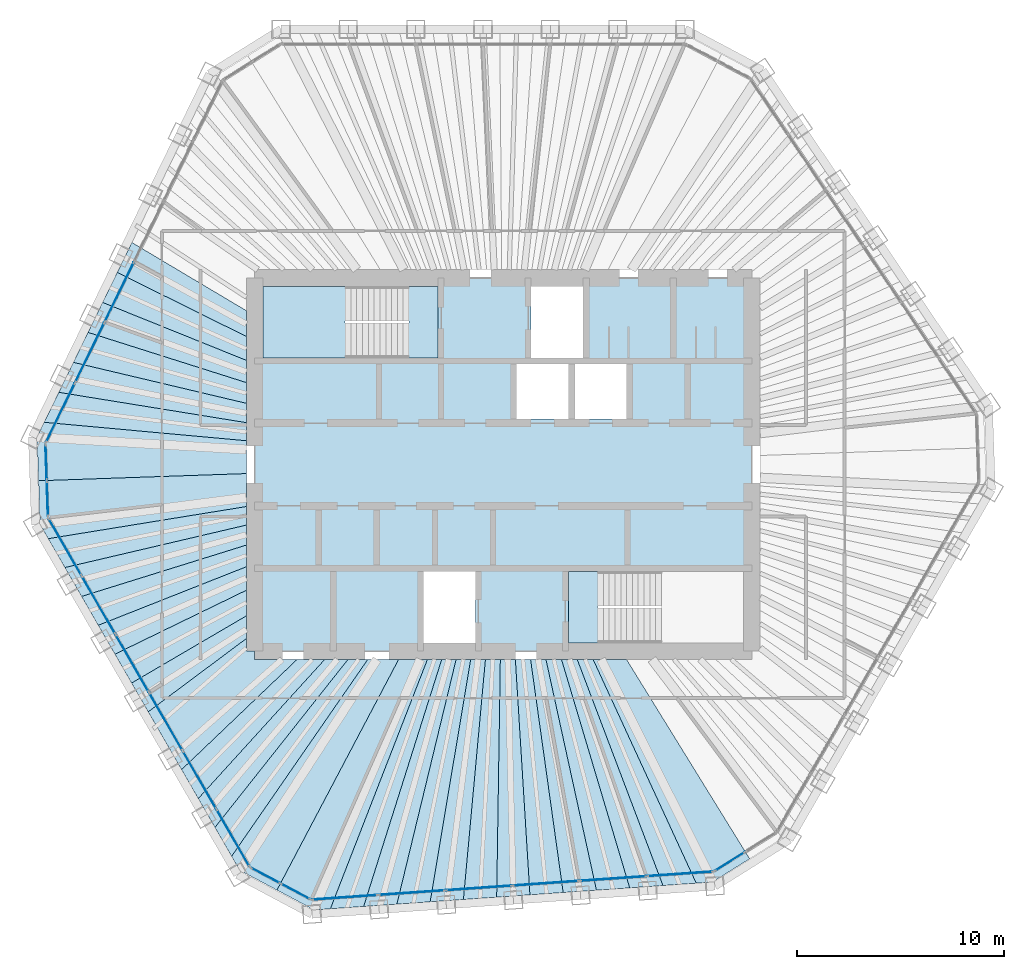
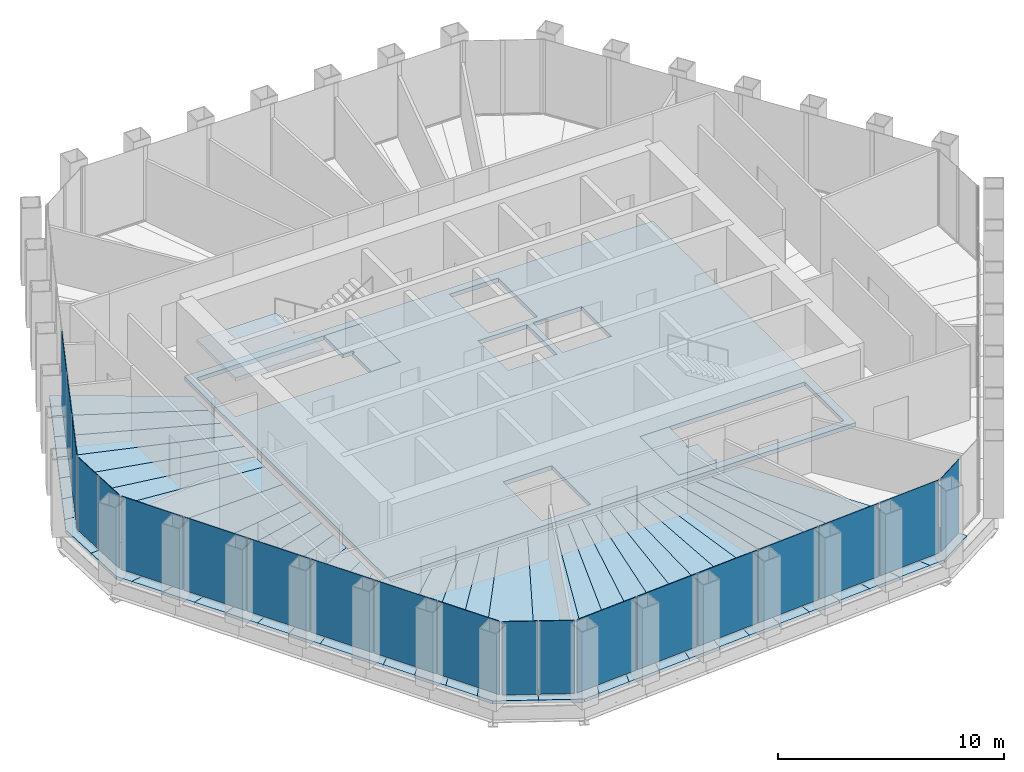
# One storey, part 9 of 14: 36 slabs, 20 plates, 8 elements without a shape of their own.
"""IFC4 building model written with IfcOpenShell, lengths in metres."""

from ifc_helpers import new_model, si_unit, direction, frame, origin, origin_2d, place, context, subcontext, project, spatial, polyline, rectangle, outline, extrude, material, layer, layer_set, type_object, element, aggregate, save


model = new_model("IFC4")

# Units and contexts
model_context = context("Model", 3, precision=1e-05, world=origin(), true_north=direction((0.0, 1.0)))
body_context = subcontext(model_context, "Body", "Model", "MODEL_VIEW")
ifc_project = project(units=[si_unit("LENGTHUNIT", "METRE"), si_unit("AREAUNIT", "SQUARE_METRE"), si_unit("VOLUMEUNIT", "CUBIC_METRE"), si_unit("PLANEANGLEUNIT", "RADIAN"), si_unit("MASSUNIT", "GRAM", prefix="KILO")], contexts=[model_context])

# Site, building, storey
site_placement = place(None, origin())
site = spatial("IfcSite", under=ifc_project, at=site_placement, CompositionType="ELEMENT")
building_placement = place(site_placement, origin())
building = spatial("IfcBuilding", under=site, at=building_placement, Name="Qingtian Harvest Tower", CompositionType="ELEMENT")
storey_placement = place(building_placement, frame((0.0, 0.0, 316.60009765625)))
storey = spatial("IfcBuildingStorey", under=building, at=storey_placement, Name="L70", CompositionType="ELEMENT", Elevation=316.60009765625)

# Slabs
ifc_material_1 = material(Name="Concrete fc' 35 MPa", Category="concrete")
ifc_layer_1 = layer(ifc_material_1, 0.169921875)
ifc_layer_set_1 = layer_set([ifc_layer_1], Name="Composite floor slab FS17 170")
slab_type_1 = type_object("IfcSlabType", Name="Composite floor slab FS17 170", PredefinedType="FLOOR", material=ifc_layer_set_1)
slab_1_placement = place(storey_placement, frame((0.0, 0.0, -0.170166015625)))
element("IfcSlab", 1, at=slab_1_placement, inside=storey, type_object=slab_type_1, Name="Floor slab L70 panel D01", PredefinedType="FLOOR", context=body_context, shape_type="SweptSolid", body=[
    extrude(outline(polyline([(-22.422607421875, -0.783203125), (-12.39990234375, -0.436767578125), (-12.39990234375, -2.028564453125), (-21.95751953125, -3.578369140625), (-22.348876953125, -2.90087890625), (-22.422607421875, -0.783203125)])), origin(), (0.0, 0.0, 1.0), 0.170166015625),
])
slab_2_placement = place(storey_placement, frame((0.0, 0.0, -0.170166015625)))
element("IfcSlab", 2, at=slab_2_placement, inside=storey, type_object=slab_type_1, Name="Floor slab L70 panel D02", PredefinedType="FLOOR", context=body_context, shape_type="SweptSolid", body=[
    extrude(outline(polyline([(-12.39990234375, -2.923095703125), (-21.153076171875, -4.9716796875), (-21.95751953125, -3.578369140625), (-12.39990234375, -2.028564453125), (-12.39990234375, -2.923095703125)])), origin(), (0.0, 0.0, 1.0), 0.170166015625),
])
slab_3_placement = place(storey_placement, frame((0.0, 0.0, -0.170166015625)))
element("IfcSlab", 3, at=slab_3_placement, inside=storey, type_object=slab_type_1, Name="Floor slab L70 panel D03", PredefinedType="FLOOR", context=body_context, shape_type="SweptSolid", body=[
    extrude(outline(polyline([(-12.39990234375, -3.888427734375), (-20.3486328125, -6.365234375), (-21.153076171875, -4.9716796875), (-12.39990234375, -2.923095703125), (-12.39990234375, -3.888427734375)])), origin(), (0.0, 0.0, 1.0), 0.170166015625),
])
slab_4_placement = place(storey_placement, frame((0.0, 0.0, -0.170166015625)))
element("IfcSlab", 4, at=slab_4_placement, inside=storey, type_object=slab_type_1, Name="Floor slab L70 panel D04", PredefinedType="FLOOR", context=body_context, shape_type="SweptSolid", body=[
    extrude(outline(polyline([(-12.39990234375, -4.93359375), (-19.544189453125, -7.758544921875), (-20.3486328125, -6.365234375), (-12.39990234375, -3.888427734375), (-12.39990234375, -4.93359375)])), origin(), (0.0, 0.0, 1.0), 0.170166015625),
])
slab_5_placement = place(storey_placement, frame((0.0, 0.0, -0.170166015625)))
element("IfcSlab", 5, at=slab_5_placement, inside=storey, type_object=slab_type_1, Name="Floor slab L70 panel D05", PredefinedType="FLOOR", context=body_context, shape_type="SweptSolid", body=[
    extrude(outline(polyline([(-12.39990234375, -6.068359375), (-18.73974609375, -9.15185546875), (-19.544189453125, -7.758544921875), (-12.39990234375, -4.93359375), (-12.39990234375, -6.068359375)])), origin(), (0.0, 0.0, 1.0), 0.170166015625),
])
slab_6_placement = place(storey_placement, frame((0.0, 0.0, -0.170166015625)))
element("IfcSlab", 6, at=slab_6_placement, inside=storey, type_object=slab_type_1, Name="Floor slab L70 panel D06", PredefinedType="FLOOR", context=body_context, shape_type="SweptSolid", body=[
    extrude(outline(polyline([(-12.39990234375, -7.304931640625), (-17.93505859375, -10.54541015625), (-18.73974609375, -9.15185546875), (-12.39990234375, -6.068359375), (-12.39990234375, -7.304931640625)])), origin(), (0.0, 0.0, 1.0), 0.170166015625),
])
slab_7_placement = place(storey_placement, frame((0.0, 0.0, -0.170166015625)))
element("IfcSlab", 7, at=slab_7_placement, inside=storey, type_object=slab_type_1, Name="Floor slab L70 panel D07", PredefinedType="FLOOR", context=body_context, shape_type="SweptSolid", body=[
    extrude(outline(polyline([(-12.39990234375, -8.400390625), (-17.134033203125, -11.932861328125), (-17.93505859375, -10.54541015625), (-12.39990234375, -7.304931640625), (-12.39990234375, -8.400390625)])), origin(), (0.0, 0.0, 1.0), 0.170166015625),
])
slab_8_placement = place(storey_placement, frame((0.0, 0.0, -0.170166015625)))
element("IfcSlab", 8, at=slab_8_placement, inside=storey, type_object=slab_type_1, Name="Floor slab L70 panel D09", PredefinedType="FLOOR", context=body_context, shape_type="SweptSolid", body=[
    extrude(outline(polyline([(-15.522216796875, -14.724609375), (-17.134033203125, -11.932861328125), (-12.39990234375, -8.400390625), (-12.39990234375, -9.0), (-12.0, -9.0), (-12.0, -9.39990234375), (-9.943115234375, -9.39990234375), (-15.522216796875, -14.724609375)])), origin(), (0.0, 0.0, 1.0), 0.170166015625),
])
slab_9_placement = place(storey_placement, frame((0.0, 0.0, -0.170166015625)))
element("IfcSlab", 9, at=slab_9_placement, inside=storey, type_object=slab_type_1, Name="Floor slab L70 panel D10", PredefinedType="FLOOR", context=body_context, shape_type="SweptSolid", body=[
    extrude(outline(polyline([(-8.609130859375, -9.39990234375), (-14.7177734375, -16.1181640625), (-15.522216796875, -14.724609375), (-9.943115234375, -9.39990234375), (-8.609130859375, -9.39990234375)])), origin(), (0.0, 0.0, 1.0), 0.170166015625),
])
slab_10_placement = place(storey_placement, frame((0.0, 0.0, -0.170166015625)))
element("IfcSlab", 10, at=slab_10_placement, inside=storey, type_object=slab_type_1, Name="Floor slab L70 panel D11", PredefinedType="FLOOR", context=body_context, shape_type="SweptSolid", body=[
    extrude(outline(polyline([(-7.488525390625, -9.39990234375), (-13.9130859375, -17.51171875), (-14.7177734375, -16.1181640625), (-8.609130859375, -9.39990234375), (-7.488525390625, -9.39990234375)])), origin(), (0.0, 0.0, 1.0), 0.170166015625),
])
slab_11_placement = place(storey_placement, frame((0.0, 0.0, -0.170166015625)))
element("IfcSlab", 11, at=slab_11_placement, inside=storey, type_object=slab_type_1, Name="Floor slab L70 panel D12", PredefinedType="FLOOR", context=body_context, shape_type="SweptSolid", body=[
    extrude(outline(polyline([(-6.533935546875, -9.39990234375), (-13.108642578125, -18.905029296875), (-13.9130859375, -17.51171875), (-7.488525390625, -9.39990234375), (-6.533935546875, -9.39990234375)])), origin(), (0.0, 0.0, 1.0), 0.170166015625),
])
slab_12_placement = place(storey_placement, frame((0.0, 0.0, -0.170166015625)))
element("IfcSlab", 12, at=slab_12_placement, inside=storey, type_object=slab_type_1, Name="Floor slab L70 panel D13", PredefinedType="FLOOR", context=body_context, shape_type="SweptSolid", body=[
    extrude(outline(polyline([(-6.533935546875, -9.39990234375), (-5.04638671875, -9.39990234375), (-10.921142578125, -20.537841796875), (-12.717529296875, -19.582763671875), (-13.108642578125, -18.905029296875), (-6.533935546875, -9.39990234375)])), origin(), (0.0, 0.0, 1.0), 0.170166015625),
])
slab_13_placement = place(storey_placement, frame((0.0, 0.0, -0.170166015625)))
element("IfcSlab", 13, at=slab_13_placement, inside=storey, type_object=slab_type_1, Name="Floor slab L70 panel D14", PredefinedType="FLOOR", context=body_context, shape_type="SweptSolid", body=[
    extrude(outline(polyline([(-5.04638671875, -9.39990234375), (-3.656982421875, -9.39990234375), (-8.343017578125, -21.439208984375), (-9.123291015625, -21.49365234375), (-10.921142578125, -20.537841796875), (-5.04638671875, -9.39990234375)])), origin(), (0.0, 0.0, 1.0), 0.170166015625),
])
slab_14_placement = place(storey_placement, frame((0.0, 0.0, -0.170166015625)))
element("IfcSlab", 14, at=slab_14_placement, inside=storey, type_object=slab_type_1, Name="Floor slab L70 panel D15", PredefinedType="FLOOR", context=body_context, shape_type="SweptSolid", body=[
    extrude(outline(polyline([(-2.968994140625, -9.39990234375), (-6.738037109375, -21.326904296875), (-8.343017578125, -21.439208984375), (-3.656982421875, -9.39990234375), (-2.968994140625, -9.39990234375)])), origin(), (0.0, 0.0, 1.0), 0.170166015625),
])
slab_15_placement = place(storey_placement, frame((0.0, 0.0, -0.170166015625)))
element("IfcSlab", 15, at=slab_15_placement, inside=storey, type_object=slab_type_1, Name="Floor slab L70 panel D16", PredefinedType="FLOOR", context=body_context, shape_type="SweptSolid", body=[
    extrude(outline(polyline([(-2.2734375, -9.39990234375), (-5.133056640625, -21.21484375), (-6.738037109375, -21.326904296875), (-2.968994140625, -9.39990234375), (-2.2734375, -9.39990234375)])), origin(), (0.0, 0.0, 1.0), 0.170166015625),
])
slab_16_placement = place(storey_placement, frame((0.0, 0.0, -0.170166015625)))
element("IfcSlab", 16, at=slab_16_placement, inside=storey, type_object=slab_type_1, Name="Floor slab L70 panel D17", PredefinedType="FLOOR", context=body_context, shape_type="SweptSolid", body=[
    extrude(outline(polyline([(-1.570556640625, -9.39990234375), (-3.528076171875, -21.1025390625), (-5.133056640625, -21.21484375), (-2.2734375, -9.39990234375), (-1.570556640625, -9.39990234375)])), origin(), (0.0, 0.0, 1.0), 0.170166015625),
])
slab_17_placement = place(storey_placement, frame((0.0, 0.0, -0.170166015625)))
element("IfcSlab", 17, at=slab_17_placement, inside=storey, type_object=slab_type_1, Name="Floor slab L70 panel D18", PredefinedType="FLOOR", context=body_context, shape_type="SweptSolid", body=[
    extrude(outline(polyline([(-0.860107421875, -9.39990234375), (-1.9228515625, -20.990234375), (-3.528076171875, -21.1025390625), (-1.570556640625, -9.39990234375), (-0.860107421875, -9.39990234375)])), origin(), (0.0, 0.0, 1.0), 0.170166015625),
])
slab_18_placement = place(storey_placement, frame((0.0, 0.0, -0.170166015625)))
element("IfcSlab", 18, at=slab_18_placement, inside=storey, type_object=slab_type_1, Name="Floor slab L70 panel D19", PredefinedType="FLOOR", context=body_context, shape_type="SweptSolid", body=[
    extrude(outline(polyline([(-0.14208984375, -9.39990234375), (-0.31787109375, -20.8779296875), (-1.9228515625, -20.990234375), (-0.860107421875, -9.39990234375), (-0.14208984375, -9.39990234375)])), origin(), (0.0, 0.0, 1.0), 0.170166015625),
])
slab_19_placement = place(storey_placement, frame((0.0, 0.0, -0.170166015625)))
element("IfcSlab", 19, at=slab_19_placement, inside=storey, type_object=slab_type_1, Name="Floor slab L70 panel D20", PredefinedType="FLOOR", context=body_context, shape_type="SweptSolid", body=[
    extrude(outline(polyline([(0.58349609375, -9.39990234375), (1.287109375, -20.765869140625), (-0.31787109375, -20.8779296875), (-0.14208984375, -9.39990234375), (0.58349609375, -9.39990234375)])), origin(), (0.0, 0.0, 1.0), 0.170166015625),
])
slab_20_placement = place(storey_placement, frame((0.0, 0.0, -0.170166015625)))
element("IfcSlab", 20, at=slab_20_placement, inside=storey, type_object=slab_type_1, Name="Floor slab L70 panel D21", PredefinedType="FLOOR", context=body_context, shape_type="SweptSolid", body=[
    extrude(outline(polyline([(1.3173828125, -9.39990234375), (2.89208984375, -20.653564453125), (1.287109375, -20.765869140625), (0.58349609375, -9.39990234375), (1.3173828125, -9.39990234375)])), origin(), (0.0, 0.0, 1.0), 0.170166015625),
])
slab_21_placement = place(storey_placement, frame((0.0, 0.0, -0.170166015625)))
element("IfcSlab", 21, at=slab_21_placement, inside=storey, type_object=slab_type_1, Name="Floor slab L70 panel D22", PredefinedType="FLOOR", context=body_context, shape_type="SweptSolid", body=[
    extrude(outline(polyline([(2.058837890625, -9.39990234375), (4.4970703125, -20.541259765625), (2.89208984375, -20.653564453125), (1.3173828125, -9.39990234375), (2.058837890625, -9.39990234375)])), origin(), (0.0, 0.0, 1.0), 0.170166015625),
])
slab_22_placement = place(storey_placement, frame((0.0, 0.0, -0.170166015625)))
element("IfcSlab", 22, at=slab_22_placement, inside=storey, type_object=slab_type_1, Name="Floor slab L70 panel D23", PredefinedType="FLOOR", context=body_context, shape_type="SweptSolid", body=[
    extrude(outline(polyline([(2.808837890625, -9.39990234375), (6.10205078125, -20.42919921875), (4.4970703125, -20.541259765625), (2.058837890625, -9.39990234375), (2.808837890625, -9.39990234375)])), origin(), (0.0, 0.0, 1.0), 0.170166015625),
])
slab_23_placement = place(storey_placement, frame((0.0, 0.0, -0.170166015625)))
element("IfcSlab", 23, at=slab_23_placement, inside=storey, type_object=slab_type_1, Name="Floor slab L70 panel D24", PredefinedType="FLOOR", context=body_context, shape_type="SweptSolid", body=[
    extrude(outline(polyline([(3.56689453125, -9.39990234375), (7.70703125, -20.31689453125), (6.10205078125, -20.42919921875), (2.808837890625, -9.39990234375), (3.56689453125, -9.39990234375)])), origin(), (0.0, 0.0, 1.0), 0.170166015625),
])
slab_24_placement = place(storey_placement, frame((0.0, 0.0, -0.170166015625)))
element("IfcSlab", 24, at=slab_24_placement, inside=storey, type_object=slab_type_1, Name="Floor slab L70 panel D25", PredefinedType="FLOOR", context=body_context, shape_type="SweptSolid", body=[
    extrude(outline(polyline([(4.33349609375, -9.39990234375), (9.312255859375, -20.20458984375), (7.70703125, -20.31689453125), (3.56689453125, -9.39990234375), (4.33349609375, -9.39990234375)])), origin(), (0.0, 0.0, 1.0), 0.170166015625),
])
slab_25_placement = place(storey_placement, frame((0.0, 0.0, -0.170166015625)))
element("IfcSlab", 25, at=slab_25_placement, inside=storey, type_object=slab_type_1, Name="Floor slab L70 panel D26", PredefinedType="FLOOR", context=body_context, shape_type="SweptSolid", body=[
    extrude(outline(polyline([(4.33349609375, -9.39990234375), (5.945556640625, -9.39990234375), (11.890380859375, -19.026611328125), (10.09228515625, -20.150146484375), (9.312255859375, -20.20458984375), (4.33349609375, -9.39990234375)])), origin(), (0.0, 0.0, 1.0), 0.170166015625),
])
slab_26_placement = place(storey_placement, frame((0.0, 0.0, -0.170166015625)))
element("IfcSlab", 26, at=slab_26_placement, inside=storey, type_object=slab_type_1, Name="Floor slab L70 panel D72", PredefinedType="FLOOR", context=body_context, shape_type="SweptSolid", body=[
    extrude(outline(polyline([(-12.39990234375, 6.18115234375), (-18.627197265625, 9.2685546875), (-17.921875, 10.714599609375), (-12.39990234375, 7.42578125), (-12.39990234375, 6.18115234375)])), origin(), (0.0, 0.0, 1.0), 0.170166015625),
])
slab_27_placement = place(storey_placement, frame((0.0, 0.0, -0.170166015625)))
element("IfcSlab", 27, at=slab_27_placement, inside=storey, type_object=slab_type_1, Name="Floor slab L70 panel D73", PredefinedType="FLOOR", context=body_context, shape_type="SweptSolid", body=[
    extrude(outline(polyline([(-12.39990234375, 5.02734375), (-19.33251953125, 7.822509765625), (-18.627197265625, 9.2685546875), (-12.39990234375, 6.18115234375), (-12.39990234375, 5.02734375)])), origin(), (0.0, 0.0, 1.0), 0.170166015625),
])
slab_28_placement = place(storey_placement, frame((0.0, 0.0, -0.170166015625)))
element("IfcSlab", 28, at=slab_28_placement, inside=storey, type_object=slab_type_1, Name="Floor slab L70 panel D74", PredefinedType="FLOOR", context=body_context, shape_type="SweptSolid", body=[
    extrude(outline(polyline([(-12.39990234375, 3.954833984375), (-20.037841796875, 6.376220703125), (-19.33251953125, 7.822509765625), (-12.39990234375, 5.02734375), (-12.39990234375, 3.954833984375)])), origin(), (0.0, 0.0, 1.0), 0.170166015625),
])
slab_29_placement = place(storey_placement, frame((0.0, 0.0, -0.170166015625)))
element("IfcSlab", 29, at=slab_29_placement, inside=storey, type_object=slab_type_1, Name="Floor slab L70 panel D75", PredefinedType="FLOOR", context=body_context, shape_type="SweptSolid", body=[
    extrude(outline(polyline([(-12.39990234375, 2.955322265625), (-20.7431640625, 4.93017578125), (-20.037841796875, 6.376220703125), (-12.39990234375, 3.954833984375), (-12.39990234375, 2.955322265625)])), origin(), (0.0, 0.0, 1.0), 0.170166015625),
])
slab_30_placement = place(storey_placement, frame((0.0, 0.0, -0.170166015625)))
element("IfcSlab", 30, at=slab_30_placement, inside=storey, type_object=slab_type_1, Name="Floor slab L70 panel D76", PredefinedType="FLOOR", context=body_context, shape_type="SweptSolid", body=[
    extrude(outline(polyline([(-12.39990234375, 2.021484375), (-21.448486328125, 3.484130859375), (-20.7431640625, 4.93017578125), (-12.39990234375, 2.955322265625), (-12.39990234375, 2.021484375)])), origin(), (0.0, 0.0, 1.0), 0.170166015625),
])
slab_31_placement = place(storey_placement, frame((0.0, 0.0, -0.170166015625)))
element("IfcSlab", 31, at=slab_31_placement, inside=storey, type_object=slab_type_1, Name="Floor slab L70 panel D77", PredefinedType="FLOOR", context=body_context, shape_type="SweptSolid", body=[
    extrude(outline(polyline([(-12.39990234375, 1.147216796875), (-22.15380859375, 2.037841796875), (-21.448486328125, 3.484130859375), (-12.39990234375, 2.021484375), (-12.39990234375, 1.147216796875)])), origin(), (0.0, 0.0, 1.0), 0.170166015625),
])
slab_32_placement = place(storey_placement, frame((0.0, 0.0, -0.170166015625)))
element("IfcSlab", 32, at=slab_32_placement, inside=storey, type_object=slab_type_1, Name="Floor slab L70 panel D78", PredefinedType="FLOOR", context=body_context, shape_type="SweptSolid", body=[
    extrude(outline(polyline([(-12.39990234375, 1.147216796875), (-12.39990234375, -0.436767578125), (-22.422607421875, -0.783203125), (-22.49658203125, 1.334716796875), (-22.15380859375, 2.037841796875), (-12.39990234375, 1.147216796875)])), origin(), (0.0, 0.0, 1.0), 0.170166015625),
])
ifc_material_2 = material(Name="Concrete fc' 35 MPa", Category="concrete")
ifc_layer_2 = layer(ifc_material_2, 0.219970703125)
ifc_layer_set_2 = layer_set([ifc_layer_2], Name="Core floor slab CS22 220")
slab_type_2 = type_object("IfcSlabType", Name="Core floor slab CS22 220", PredefinedType="FLOOR", material=ifc_layer_set_2)
slab_33_placement = place(storey_placement, frame((0.0, 0.0, -0.22021484375)))
element("IfcSlab", 33, at=slab_33_placement, inside=storey, type_object=slab_type_2, Name="Core floor slab L70", PredefinedType="FLOOR", context=body_context, shape_type="SweptSolid", body=[
    extrude(outline(polyline([(-12.0, -9.0), (12.0, -9.0), (12.0, 9.0), (-12.0, 9.0), (-12.0, -9.0)]), holes=[polyline([(-11.60009765625, 5.14990234375), (-3.14990234375, 5.14990234375), (-3.14990234375, 8.60009765625), (-11.60009765625, 8.60009765625), (-11.60009765625, 5.14990234375)]), polyline([(3.14990234375, -8.60009765625), (11.60009765625, -8.60009765625), (11.60009765625, -5.14990234375), (3.14990234375, -5.14990234375), (3.14990234375, -8.60009765625)]), polyline([(1.35009765625, 5.14990234375), (3.85009765625, 5.14990234375), (3.85009765625, 8.60009765625), (1.35009765625, 8.60009765625), (1.35009765625, 5.14990234375)]), polyline([(-3.85009765625, -8.60009765625), (-1.35009765625, -8.60009765625), (-1.35009765625, -5.14990234375), (-3.85009765625, -5.14990234375), (-3.85009765625, -8.60009765625)]), polyline([(0.64990234375, 2.199951171875), (3.14990234375, 2.199951171875), (3.14990234375, 4.85009765625), (0.64990234375, 4.85009765625), (0.64990234375, 2.199951171875)]), polyline([(3.449951171875, 2.199951171875), (5.949951171875, 2.199951171875), (5.949951171875, 4.85009765625), (3.449951171875, 4.85009765625), (3.449951171875, 2.199951171875)])]), origin(), (0.0, 0.0, 1.0), 0.22021484375),
])

# Curtain wall, plate
ifc_material_3 = material(Name="Bronze-anodised aluminium curtain wall", Category="aluminium")
curtain_wall_type = type_object("IfcCurtainWallType", Name="Curtain wall CW5 upper office", PredefinedType="USERDEFINED", material=ifc_material_3)
curtain_wall_1_placement = place(storey_placement, origin())
curtain_wall_1 = element("IfcCurtainWall", 34, at=curtain_wall_1_placement, inside=storey, type_object=curtain_wall_type, Name="Curtain wall CW5 L70 SEC", ObjectType="RECESSED CURTAIN WALL", PredefinedType="USERDEFINED")
ifc_material_4 = material(Name="Bronze-tinted laminated insulating glass", Category="glass")
ifc_layer_3 = layer(ifc_material_4, 0.030029296875)
ifc_layer_set_3 = layer_set([ifc_layer_3], Name="Glazed panel CWP tinted IGU")
plate_type = type_object("IfcPlateType", Name="Glazed panel CWP tinted IGU", PredefinedType="CURTAIN_PANEL", material=ifc_layer_set_3)
plate_1_placement = place(storey_placement, frame((10.93359375, -19.156005859375, 0.06494140625), z_axis=(0.0, 0.0, 1.0), x_axis=(-0.848048096156, -0.529919264233, 0.0)))
plate_1 = element("IfcPlate", 35, at=plate_1_placement, type_object=plate_type, Name="CW5 panel 2.1", PredefinedType="CURTAIN_PANEL", context=body_context, shape_type="SweptSolid", body=[
    extrude(rectangle(XDim=1.69287109375, YDim=0.030029296875, at=origin_2d()), origin(), (0.0, 0.0, 1.0), 3.965087890625),
])
aggregate(curtain_wall_1, [plate_1])

# Curtain wall, plates
curtain_wall_2_placement = place(storey_placement, origin())
curtain_wall_2 = element("IfcCurtainWall", 36, at=curtain_wall_2_placement, inside=storey, type_object=curtain_wall_type, Name="Curtain wall CW5 L70 S0-5", ObjectType="RECESSED CURTAIN WALL", PredefinedType="USERDEFINED")
plate_2_placement = place(storey_placement, frame((8.5244140625, -19.75341796875, 0.06494140625), z_axis=(0.0, 0.0, 1.0), x_axis=(-0.99756405026, -0.069756473744, 0.0)))
plate_2 = element("IfcPlate", 37, at=plate_2_placement, type_object=plate_type, Name="CW5 panel 1.1", PredefinedType="CURTAIN_PANEL", context=body_context, shape_type="SweptSolid", body=[
    extrude(rectangle(XDim=3.150634765625, YDim=0.030029296875, at=origin_2d()), origin(), (0.0, 0.0, 1.0), 3.965087890625),
])
plate_3_placement = place(storey_placement, frame((5.300537109375, -19.97900390625, 0.06494140625), z_axis=(0.0, 0.0, 1.0), x_axis=(-0.99756405026, -0.069756473744, 0.0)))
plate_3 = element("IfcPlate", 38, at=plate_3_placement, type_object=plate_type, Name="CW5 panel 2.1", PredefinedType="CURTAIN_PANEL", context=body_context, shape_type="SweptSolid", body=[
    extrude(rectangle(XDim=3.18310546875, YDim=0.030029296875, at=origin_2d()), origin(), (0.0, 0.0, 1.0), 3.965087890625),
])
plate_4_placement = place(storey_placement, frame((2.060302734375, -20.20556640625, 0.06494140625), z_axis=(0.0, 0.0, 1.0), x_axis=(-0.99756405026, -0.069756473744, 0.0)))
plate_4 = element("IfcPlate", 39, at=plate_4_placement, type_object=plate_type, Name="CW5 panel 3.1", PredefinedType="CURTAIN_PANEL", context=body_context, shape_type="SweptSolid", body=[
    extrude(rectangle(XDim=3.18310546875, YDim=0.030029296875, at=origin_2d()), origin(), (0.0, 0.0, 1.0), 3.965087890625),
])
plate_5_placement = place(storey_placement, frame((-1.1796875, -20.43212890625, 0.06494140625), z_axis=(0.0, 0.0, 1.0), x_axis=(-0.99756405026, -0.069756473744, 0.0)))
plate_5 = element("IfcPlate", 40, at=plate_5_placement, type_object=plate_type, Name="CW5 panel 4.1", PredefinedType="CURTAIN_PANEL", context=body_context, shape_type="SweptSolid", body=[
    extrude(rectangle(XDim=3.18310546875, YDim=0.030029296875, at=origin_2d()), origin(), (0.0, 0.0, 1.0), 3.965087890625),
])
plate_6_placement = place(storey_placement, frame((-4.419921875, -20.65869140625, 0.06494140625), z_axis=(0.0, 0.0, 1.0), x_axis=(-0.99756405026, -0.069756473744, 0.0)))
plate_6 = element("IfcPlate", 41, at=plate_6_placement, type_object=plate_type, Name="CW5 panel 5.1", PredefinedType="CURTAIN_PANEL", context=body_context, shape_type="SweptSolid", body=[
    extrude(rectangle(XDim=3.18310546875, YDim=0.030029296875, at=origin_2d()), origin(), (0.0, 0.0, 1.0), 3.965087890625),
])
plate_7_placement = place(storey_placement, frame((-7.643798828125, -20.884033203125, 0.06494140625), z_axis=(0.0, 0.0, 1.0), x_axis=(-0.99756405026, -0.069756473744, 0.0)))
plate_7 = element("IfcPlate", 42, at=plate_7_placement, type_object=plate_type, Name="CW5 panel 6.1", PredefinedType="CURTAIN_PANEL", context=body_context, shape_type="SweptSolid", body=[
    extrude(rectangle(XDim=3.150634765625, YDim=0.030029296875, at=origin_2d()), origin(), (0.0, 0.0, 1.0), 3.965087890625),
])
aggregate(curtain_wall_2, [plate_2, plate_3, plate_4, plate_5, plate_6, plate_7])

curtain_wall_3_placement = place(storey_placement, origin())
curtain_wall_3 = element("IfcCurtainWall", 43, at=curtain_wall_3_placement, inside=storey, type_object=curtain_wall_type, Name="Curtain wall CW5 L70 SC", ObjectType="RECESSED CURTAIN WALL", PredefinedType="USERDEFINED")
plate_8_placement = place(storey_placement, frame((-10.029296875, -20.60009765625, 0.06494140625), z_axis=(0.0, 0.0, 1.0), x_axis=(-0.882947592859, 0.469471562786, 0.0)))
plate_8 = element("IfcPlate", 44, at=plate_8_placement, type_object=plate_type, Name="CW5 panel 1.1", PredefinedType="CURTAIN_PANEL", context=body_context, shape_type="SweptSolid", body=[
    extrude(rectangle(XDim=1.56689453125, YDim=0.030029296875, at=origin_2d()), origin(), (0.0, 0.0, 1.0), 3.965087890625),
])
plate_9_placement = place(storey_placement, frame((-11.469970703125, -19.833984375, 0.06494140625), z_axis=(0.0, 0.0, 1.0), x_axis=(-0.882947592859, 0.469471562786, 0.0)))
plate_9 = element("IfcPlate", 45, at=plate_9_placement, type_object=plate_type, Name="CW5 panel 2.1", PredefinedType="CURTAIN_PANEL", context=body_context, shape_type="SweptSolid", body=[
    extrude(rectangle(XDim=1.56689453125, YDim=0.030029296875, at=origin_2d()), origin(), (0.0, 0.0, 1.0), 3.965087890625),
])
aggregate(curtain_wall_3, [plate_8, plate_9])

curtain_wall_4_placement = place(storey_placement, origin())
curtain_wall_4 = element("IfcCurtainWall", 46, at=curtain_wall_4_placement, inside=storey, type_object=curtain_wall_type, Name="Curtain wall CW5 L70 SW0-5", ObjectType="RECESSED CURTAIN WALL", PredefinedType="USERDEFINED")
plate_10_placement = place(storey_placement, frame((-13.039306640625, -18.01513671875, 0.06494140625), z_axis=(0.0, 0.0, 1.0), x_axis=(-0.5, 0.866025403784, 0.0)))
plate_10 = element("IfcPlate", 47, at=plate_10_placement, type_object=plate_type, Name="CW5 panel 1.1", PredefinedType="CURTAIN_PANEL", context=body_context, shape_type="SweptSolid", body=[
    extrude(rectangle(XDim=3.150634765625, YDim=0.030029296875, at=origin_2d()), origin(), (0.0, 0.0, 1.0), 3.965087890625),
])
plate_11_placement = place(storey_placement, frame((-14.6552734375, -15.216552734375, 0.06494140625), z_axis=(0.0, 0.0, 1.0), x_axis=(-0.5, 0.866025403784, 0.0)))
plate_11 = element("IfcPlate", 48, at=plate_11_placement, type_object=plate_type, Name="CW5 panel 2.1", PredefinedType="CURTAIN_PANEL", context=body_context, shape_type="SweptSolid", body=[
    extrude(rectangle(XDim=3.18310546875, YDim=0.030029296875, at=origin_2d()), origin(), (0.0, 0.0, 1.0), 3.965087890625),
])
plate_12_placement = place(storey_placement, frame((-16.279296875, -12.403564453125, 0.06494140625), z_axis=(0.0, 0.0, 1.0), x_axis=(-0.5, 0.866025403784, 0.0)))
plate_12 = element("IfcPlate", 49, at=plate_12_placement, type_object=plate_type, Name="CW5 panel 3.1", PredefinedType="CURTAIN_PANEL", context=body_context, shape_type="SweptSolid", body=[
    extrude(rectangle(XDim=3.18310546875, YDim=0.030029296875, at=origin_2d()), origin(), (0.0, 0.0, 1.0), 3.965087890625),
])
plate_13_placement = place(storey_placement, frame((-17.9033203125, -9.590576171875, 0.06494140625), z_axis=(0.0, 0.0, 1.0), x_axis=(-0.5, 0.866025403784, 0.0)))
plate_13 = element("IfcPlate", 50, at=plate_13_placement, type_object=plate_type, Name="CW5 panel 4.1", PredefinedType="CURTAIN_PANEL", context=body_context, shape_type="SweptSolid", body=[
    extrude(rectangle(XDim=3.18310546875, YDim=0.030029296875, at=origin_2d()), origin(), (0.0, 0.0, 1.0), 3.965087890625),
])
plate_14_placement = place(storey_placement, frame((-19.52734375, -6.77783203125, 0.06494140625), z_axis=(0.0, 0.0, 1.0), x_axis=(-0.5, 0.866025403784, 0.0)))
plate_14 = element("IfcPlate", 51, at=plate_14_placement, type_object=plate_type, Name="CW5 panel 5.1", PredefinedType="CURTAIN_PANEL", context=body_context, shape_type="SweptSolid", body=[
    extrude(rectangle(XDim=3.18310546875, YDim=0.030029296875, at=origin_2d()), origin(), (0.0, 0.0, 1.0), 3.965087890625),
])
plate_15_placement = place(storey_placement, frame((-21.14306640625, -3.97900390625, 0.06494140625), z_axis=(0.0, 0.0, 1.0), x_axis=(-0.5, 0.866025403784, 0.0)))
plate_15 = element("IfcPlate", 52, at=plate_15_placement, type_object=plate_type, Name="CW5 panel 6.1", PredefinedType="CURTAIN_PANEL", context=body_context, shape_type="SweptSolid", body=[
    extrude(rectangle(XDim=3.150634765625, YDim=0.030029296875, at=origin_2d()), origin(), (0.0, 0.0, 1.0), 3.965087890625),
])
aggregate(curtain_wall_4, [plate_10, plate_11, plate_12, plate_13, plate_14, plate_15])

curtain_wall_5_placement = place(storey_placement, origin())
curtain_wall_5 = element("IfcCurtainWall", 53, at=curtain_wall_5_placement, inside=storey, type_object=curtain_wall_type, Name="Curtain wall CW5 L70 SWC", ObjectType="RECESSED CURTAIN WALL", PredefinedType="USERDEFINED")
plate_16_placement = place(storey_placement, frame((-21.9951171875, -1.647705078125, 0.06494140625), z_axis=(0.0, 0.0, 1.0), x_axis=(-0.034899496703, 0.999390827019, 0.0)))
plate_16 = element("IfcPlate", 54, at=plate_16_placement, type_object=plate_type, Name="CW5 panel 1.1", PredefinedType="CURTAIN_PANEL", context=body_context, shape_type="SweptSolid", body=[
    extrude(rectangle(XDim=1.69287109375, YDim=0.030029296875, at=origin_2d()), origin(), (0.0, 0.0, 1.0), 3.965087890625),
])
plate_17_placement = place(storey_placement, frame((-22.056396484375, 0.109375, 0.06494140625), z_axis=(0.0, 0.0, 1.0), x_axis=(-0.034899496703, 0.999390827019, 0.0)))
plate_17 = element("IfcPlate", 55, at=plate_17_placement, type_object=plate_type, Name="CW5 panel 2.1", PredefinedType="CURTAIN_PANEL", context=body_context, shape_type="SweptSolid", body=[
    extrude(rectangle(XDim=1.69287109375, YDim=0.030029296875, at=origin_2d()), origin(), (0.0, 0.0, 1.0), 3.965087890625),
])
aggregate(curtain_wall_5, [plate_16, plate_17])

curtain_wall_6_placement = place(storey_placement, origin())
curtain_wall_6 = element("IfcCurtainWall", 56, at=curtain_wall_6_placement, inside=storey, type_object=curtain_wall_type, Name="Curtain wall CW5 L70 NW0-5", ObjectType="RECESSED CURTAIN WALL", PredefinedType="USERDEFINED")
plate_18_placement = place(storey_placement, frame((-21.369140625, 2.494384765625, 0.06494140625), z_axis=(0.0, 0.0, 1.0), x_axis=(0.438371146789, 0.898794046299, 0.0)))
plate_18 = element("IfcPlate", 57, at=plate_18_placement, type_object=plate_type, Name="CW5 panel 1.1", PredefinedType="CURTAIN_PANEL", context=body_context, shape_type="SweptSolid", body=[
    extrude(rectangle(XDim=3.150634765625, YDim=0.030029296875, at=origin_2d()), origin(), (0.0, 0.0, 1.0), 3.965087890625),
])
plate_19_placement = place(storey_placement, frame((-19.952392578125, 5.399169921875, 0.06494140625), z_axis=(0.0, 0.0, 1.0), x_axis=(0.438371146789, 0.898794046299, 0.0)))
plate_19 = element("IfcPlate", 58, at=plate_19_placement, type_object=plate_type, Name="CW5 panel 2.1", PredefinedType="CURTAIN_PANEL", context=body_context, shape_type="SweptSolid", body=[
    extrude(rectangle(XDim=3.18310546875, YDim=0.030029296875, at=origin_2d()), origin(), (0.0, 0.0, 1.0), 3.965087890625),
])
plate_20_placement = place(storey_placement, frame((-18.528564453125, 8.318359375, 0.06494140625), z_axis=(0.0, 0.0, 1.0), x_axis=(0.438371146789, 0.898794046299, 0.0)))
plate_20 = element("IfcPlate", 59, at=plate_20_placement, type_object=plate_type, Name="CW5 panel 3.1", PredefinedType="CURTAIN_PANEL", context=body_context, shape_type="SweptSolid", body=[
    extrude(rectangle(XDim=3.18310546875, YDim=0.030029296875, at=origin_2d()), origin(), (0.0, 0.0, 1.0), 3.965087890625),
])
aggregate(curtain_wall_6, [plate_18, plate_19, plate_20])

# Stair, slabs
ifc_material_5 = material(Name="Concrete fc' 35 MPa", Category="concrete")
stair_type = type_object("IfcStairType", Name="Special stair ST7 4200", PredefinedType="HALF_TURN_STAIR", material=ifc_material_5)
stair_1_placement = place(storey_placement, origin())
stair_1 = element("IfcStair", 60, at=stair_1_placement, inside=storey, type_object=stair_type, Name="Special stair S1 L70", PredefinedType="HALF_TURN_STAIR")
ifc_material_6 = material(Name="Concrete fc' 35 MPa", Category="concrete")
ifc_layer_4 = layer(ifc_material_6, 0.199951171875)
ifc_layer_set_4 = layer_set([ifc_layer_4], Name="Stair landing SL2 200")
slab_type_3 = type_object("IfcSlabType", Name="Stair landing SL2 200", PredefinedType="LANDING", material=ifc_layer_set_4)
slab_34_placement = place(storey_placement, frame((0.0, 0.0, -0.2001953125)))
slab_34 = element("IfcSlab", 61, at=slab_34_placement, type_object=slab_type_3, Name="S1 landing 1", PredefinedType="LANDING", context=body_context, shape_type="SweptSolid", body=[
    extrude(outline(polyline([(-4.64990234375, 5.14990234375), (-4.64990234375, 6.824951171875), (-4.550048828125, 6.824951171875), (-4.550048828125, 6.925048828125), (-5.0849609375, 6.925048828125), (-5.0849609375, 8.60009765625), (-3.14990234375, 8.60009765625), (-3.14990234375, 5.14990234375), (-4.64990234375, 5.14990234375)])), origin(), (0.0, 0.0, 1.0), 0.2001953125),
])
slab_35_placement = place(storey_placement, frame((0.0, 0.0, 1.89990234375)))
slab_35 = element("IfcSlab", 62, at=slab_35_placement, type_object=slab_type_3, Name="S1 landing 2", PredefinedType="LANDING", context=body_context, shape_type="SweptSolid", body=[
    extrude(outline(polyline([(-7.094970703125, 5.14990234375), (-11.60009765625, 5.14990234375), (-11.60009765625, 8.60009765625), (-7.530029296875, 8.60009765625), (-7.530029296875, 6.925048828125), (-7.6298828125, 6.925048828125), (-7.6298828125, 6.824951171875), (-7.094970703125, 6.824951171875), (-7.094970703125, 5.14990234375)])), origin(), (0.0, 0.0, 1.0), 0.199951171875),
])
aggregate(stair_1, [slab_34, slab_35])

# Stair, slab
stair_2_placement = place(storey_placement, origin())
stair_2 = element("IfcStair", 63, at=stair_2_placement, inside=storey, type_object=stair_type, Name="Special stair S2 L70", PredefinedType="HALF_TURN_STAIR")
slab_36_placement = place(storey_placement, frame((0.0, 0.0, -0.2001953125)))
slab_36 = element("IfcSlab", 64, at=slab_36_placement, type_object=slab_type_3, Name="S2 landing 1", PredefinedType="LANDING", context=body_context, shape_type="SweptSolid", body=[
    extrude(outline(polyline([(5.0849609375, -8.60009765625), (3.14990234375, -8.60009765625), (3.14990234375, -5.14990234375), (4.64990234375, -5.14990234375), (4.64990234375, -6.824951171875), (4.550048828125, -6.824951171875), (4.550048828125, -6.925048828125), (5.0849609375, -6.925048828125), (5.0849609375, -8.60009765625)])), origin(), (0.0, 0.0, 1.0), 0.2001953125),
])
aggregate(stair_2, [slab_36])

save(model, "model.ifc")
